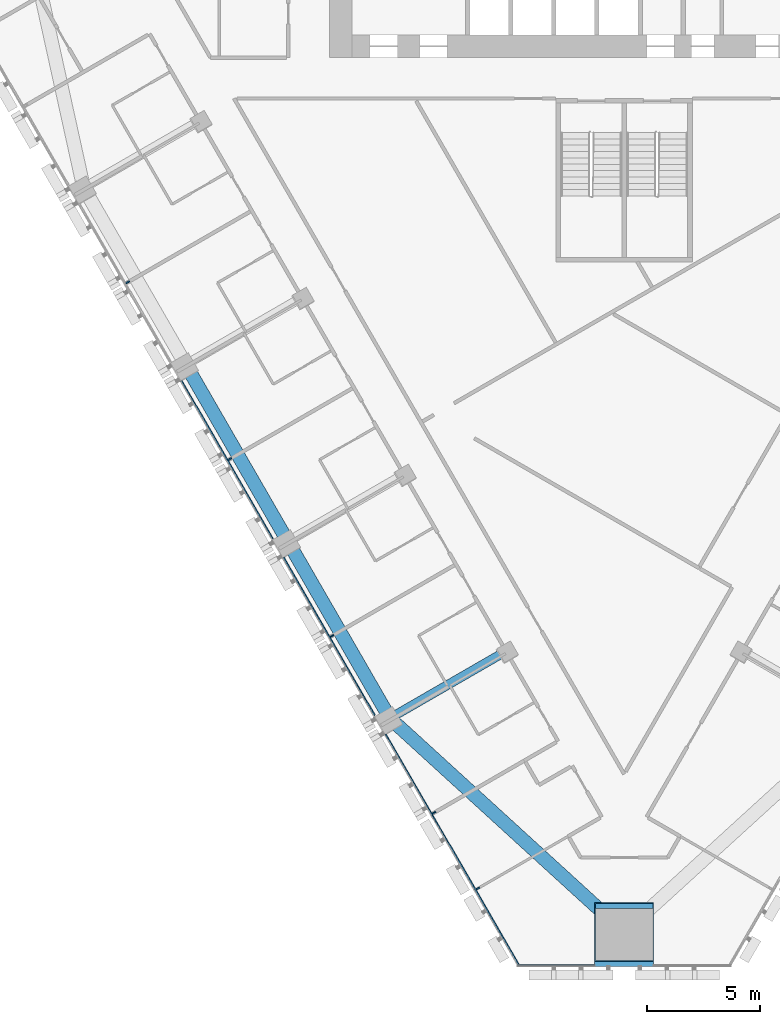
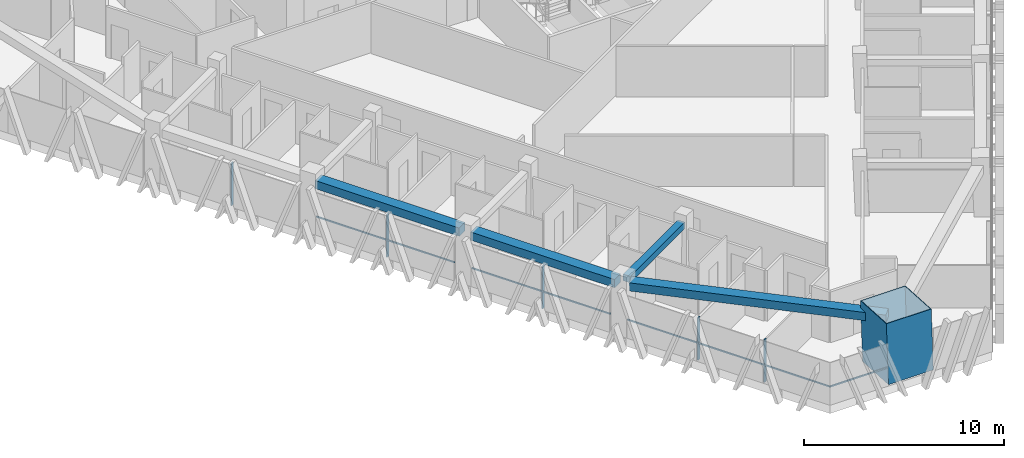
# One storey, part 2 of 17: 10 members, 4 beams, 2 elements without a shape of their own.
"""IFC4 building model written with IfcOpenShell, lengths in metres."""

from ifc_helpers import new_model, si_unit, direction, frame, origin, origin_2d, place, context, subcontext, project, spatial, rectangle, hollow_rectangle, extrude, material, layer, layer_set, material_profile, profile_set, type_object, element, aggregate, save


model = new_model("IFC4")

# Units and contexts
model_context = context("Model", 3, precision=1e-05, world=origin(), true_north=direction((0.0, 1.0)))
body_context = subcontext(model_context, "Body", "Model", "MODEL_VIEW")
ifc_project = project(units=[si_unit("LENGTHUNIT", "METRE"), si_unit("AREAUNIT", "SQUARE_METRE"), si_unit("VOLUMEUNIT", "CUBIC_METRE"), si_unit("PLANEANGLEUNIT", "RADIAN"), si_unit("MASSUNIT", "GRAM", prefix="KILO")], contexts=[model_context])

# Site, building, storey
site_placement = place(None, origin())
site = spatial("IfcSite", under=ifc_project, at=site_placement, CompositionType="ELEMENT")
building_placement = place(site_placement, origin())
building = spatial("IfcBuilding", under=site, at=building_placement, Name="Altiplano Prism Tower", CompositionType="ELEMENT")
storey_placement = place(building_placement, frame((0.0, 0.0, 55.800048828125)))
storey = spatial("IfcBuildingStorey", under=building, at=storey_placement, Name="L13", CompositionType="ELEMENT", Elevation=55.800048828125)

# Curtain wall, members
ifc_material_1 = material(Name="Aluminium and glass", Category="aluminium")
ifc_layer = layer(ifc_material_1, 0.280029296875)
ifc_layer_set = layer_set([ifc_layer], Name="Aluminium and glass")
curtain_wall_type = type_object("IfcCurtainWallType", Name="CW1 typical co-living unitised curtain wall", PredefinedType="NOTDEFINED", material=ifc_layer_set)
curtain_wall_1_placement = place(storey_placement, origin())
curtain_wall_1 = element("IfcCurtainWall", 1, at=curtain_wall_1_placement, inside=storey, type_object=curtain_wall_type, Name="CW1 curtain wall south-west face L13", PredefinedType="NOTDEFINED")
ifc_material_2 = material(Name="Aluminium", Category="aluminium")
ifc_material_profile_1 = material_profile(ifc_material_2, rectangle(XDim=0.179931640625, YDim=0.06494140625, at=origin_2d()), Name="CW1 mullion 65 x 180")
ifc_profile_set_1 = profile_set([ifc_material_profile_1], Name="Aluminium")
member_type_1 = type_object("IfcMemberType", Name="CW1 mullion 65 x 180", PredefinedType="MULLION", material=ifc_profile_set_1)
member_1_placement = place(storey_placement, frame((63.117919921875, 82.49755859375, 0.0), z_axis=(0.0, 0.0, 1.0), x_axis=(0.866025408218, 0.499999992322, 0.0)))
member_1 = element("IfcMember", 2, at=member_1_placement, type_object=member_type_1, Name="CW1 mullion", PredefinedType="MULLION", context=body_context, shape_type="SweptSolid", body=[
    extrude(rectangle(XDim=0.179931640625, YDim=0.06494140625, at=origin_2d()), origin(), (0.0, 0.0, 1.0), 2.599853515625),
])
member_2_placement = place(storey_placement, frame((67.617919921875, 74.703369140625, 0.0), z_axis=(0.0, 0.0, 1.0), x_axis=(0.866025408218, 0.499999992322, 0.0)))
member_2 = element("IfcMember", 3, at=member_2_placement, type_object=member_type_1, Name="CW1 mullion", PredefinedType="MULLION", context=body_context, shape_type="SweptSolid", body=[
    extrude(rectangle(XDim=0.179931640625, YDim=0.06494140625, at=origin_2d()), origin(), (0.0, 0.0, 1.0), 2.599853515625),
])
member_3_placement = place(storey_placement, frame((72.117919921875, 66.9091796875, 0.0), z_axis=(0.0, 0.0, 1.0), x_axis=(0.866025408218, 0.499999992322, 0.0)))
member_3 = element("IfcMember", 4, at=member_3_placement, type_object=member_type_1, Name="CW1 mullion", PredefinedType="MULLION", context=body_context, shape_type="SweptSolid", body=[
    extrude(rectangle(XDim=0.179931640625, YDim=0.06494140625, at=origin_2d()), origin(), (0.0, 0.0, 1.0), 2.599853515625),
])
member_4_placement = place(storey_placement, frame((76.617919921875, 59.114990234375, 0.0), z_axis=(0.0, 0.0, 1.0), x_axis=(0.866025408218, 0.499999992322, 0.0)))
member_4 = element("IfcMember", 5, at=member_4_placement, type_object=member_type_1, Name="CW1 mullion", PredefinedType="MULLION", context=body_context, shape_type="SweptSolid", body=[
    extrude(rectangle(XDim=0.179931640625, YDim=0.06494140625, at=origin_2d()), origin(), (0.0, 0.0, 1.0), 2.599853515625),
])
member_5_placement = place(storey_placement, frame((78.545166015625, 55.77685546875, 0.0), z_axis=(0.0, 0.0, 1.0), x_axis=(0.866025408218, 0.499999992322, 0.0)))
member_5 = element("IfcMember", 6, at=member_5_placement, type_object=member_type_1, Name="CW1 mullion", PredefinedType="MULLION", context=body_context, shape_type="SweptSolid", body=[
    extrude(rectangle(XDim=0.179931640625, YDim=0.06494140625, at=origin_2d()), origin(), (0.0, 0.0, 1.0), 2.599853515625),
])
ifc_material_profile_2 = material_profile(ifc_material_2, rectangle(XDim=0.06005859375, YDim=0.080078125, at=origin_2d()), Name="CW1 transom 80 x 60")
ifc_profile_set_2 = profile_set([ifc_material_profile_2], Name="Aluminium")
member_type_2 = type_object("IfcMemberType", Name="CW1 transom 80 x 60", PredefinedType="USERDEFINED", material=ifc_profile_set_2)
member_6_placement = place(storey_placement, frame((65.4892578125, 78.150146484375, 1.099853515625), z_axis=(0.500012318566, -0.86601829154, 0.0), x_axis=(0.86601829154, 0.500012318566, 0.0)))
member_6 = element("IfcMember", 7, at=member_6_placement, type_object=member_type_2, Name="CW1 transom", ObjectType="TRANSOM", PredefinedType="USERDEFINED", context=body_context, shape_type="SweptSolid", body=[
    extrude(rectangle(XDim=0.06005859375, YDim=0.080078125, at=origin_2d()), origin(), (0.0, 0.0, 1.0), 8.019775390625),
])
member_7_placement = place(storey_placement, frame((69.9892578125, 70.35595703125, 1.099853515625), z_axis=(0.500012318566, -0.86601829154, 0.0), x_axis=(0.86601829154, 0.500012318566, 0.0)))
member_7 = element("IfcMember", 8, at=member_7_placement, type_object=member_type_2, Name="CW1 transom", ObjectType="TRANSOM", PredefinedType="USERDEFINED", context=body_context, shape_type="SweptSolid", body=[
    extrude(rectangle(XDim=0.06005859375, YDim=0.080078125, at=origin_2d()), origin(), (0.0, 0.0, 1.0), 8.019775390625),
])
member_8_placement = place(storey_placement, frame((74.4892578125, 62.561767578125, 1.099853515625), z_axis=(0.499995643985, -0.866027918716, 0.0), x_axis=(0.866027918716, 0.499995643985, 0.0)))
member_8 = element("IfcMember", 9, at=member_8_placement, type_object=member_type_2, Name="CW1 transom", ObjectType="TRANSOM", PredefinedType="USERDEFINED", context=body_context, shape_type="SweptSolid", body=[
    extrude(rectangle(XDim=0.06005859375, YDim=0.080078125, at=origin_2d()), origin(), (0.0, 0.0, 1.0), 11.75830078125),
])
aggregate(curtain_wall_1, [member_1, member_2, member_6, member_3, member_7, member_4, member_5, member_8])

# Curtain wall, member
curtain_wall_2_placement = place(storey_placement, origin())
curtain_wall_2 = element("IfcCurtainWall", 10, at=curtain_wall_2_placement, inside=storey, type_object=curtain_wall_type, Name="CW1 curtain wall south chamfer L13", PredefinedType="NOTDEFINED")
member_9_placement = place(storey_placement, frame((80.307861328125, 52.413818359375, 1.099853515625), z_axis=(1.0, 0.0, 0.0), x_axis=(0.0, 1.0, 0.0)))
member_9 = element("IfcMember", 11, at=member_9_placement, type_object=member_type_2, Name="CW1 transom", ObjectType="TRANSOM", PredefinedType="USERDEFINED", context=body_context, shape_type="SweptSolid", body=[
    extrude(rectangle(XDim=0.06005859375, YDim=0.080078125, at=origin_2d()), origin(), (0.0, 0.0, 1.0), 3.39208984375),
])
aggregate(curtain_wall_2, [member_9])

# Beams
ifc_material_3 = material(Name="Concrete C60/75", Category="concrete")
ifc_material_profile_3 = material_profile(ifc_material_3, rectangle(XDim=0.60009765625, YDim=0.5, at=origin_2d()), Name="Edge beam 600x500")
ifc_profile_set_3 = profile_set([ifc_material_profile_3], Name="Concrete C60/75")
beam_type_1 = type_object("IfcBeamType", Name="Edge beam 600x500", PredefinedType="SPANDREL", material=ifc_profile_set_3)
for number, where, z_axis, x_axis, name in (
    (12, (65.838134765625, 78.583251953125, 2.849853515625), (0.499992746786, -0.866029591389, 0.0), (0.866029591389, 0.499992746786, 0.0), "Edge beam P12-P13 L14"),
    (13, (70.338134765625, 70.7890625, 2.849853515625), (0.499992746786, -0.866029591389, 0.0), (0.866029591389, 0.499992746786, 0.0), "Edge beam P13-P14 L14"),
):
    element("IfcBeam", number, at=place(storey_placement, frame(where, z_axis=z_axis, x_axis=x_axis)), inside=storey, type_object=beam_type_1, Name=name, PredefinedType="SPANDREL", context=body_context, shape_type="SweptSolid", body=[
        extrude(rectangle(XDim=0.60009765625, YDim=0.5, at=origin_2d()), origin(), (0.0, 0.0, 1.0), 8.33984375),
    ])
beam_1_placement = place(storey_placement, frame((74.93310546875, 63.043212890625, 2.849853515625), z_axis=(0.738575716326, -0.674170535736, 0.0), x_axis=(0.674170535736, 0.738575716326, 0.0)))
element("IfcBeam", 14, at=beam_1_placement, inside=storey, type_object=beam_type_1, Name="Edge beam P14-M1 L14", PredefinedType="SPANDREL", context=body_context, shape_type="SweptSolid", body=[
    extrude(rectangle(XDim=0.60009765625, YDim=0.5, at=origin_2d()), origin(), (0.0, 0.0, 1.0), 13.18017578125),
])

# Member
ifc_material_4 = material(Name="Steel S460", Category="steel")
ifc_material_profile_4 = material_profile(ifc_material_4, hollow_rectangle(XDim=2.60009765625, YDim=2.60009765625, WallThickness=0.0400390625, at=origin_2d()), Name="Mega column tube 2600")
ifc_profile_set_4 = profile_set([ifc_material_profile_4], Name="Steel S460")
member_type_3 = type_object("IfcMemberType", Name="Mega column tube 2600", PredefinedType="POST", material=ifc_profile_set_4)
member_10_placement = place(storey_placement, frame((85.0, 53.643798828125, 0.0), z_axis=(0.0, 0.058360852261, 0.998295552892), x_axis=(-1.0, 0.0, 0.0)))
element("IfcMember", 15, at=member_10_placement, inside=storey, type_object=member_type_3, Name="Mega column tube M1 L13", PredefinedType="POST", context=body_context, shape_type="SweptSolid", body=[
    extrude(hollow_rectangle(XDim=2.60009765625, YDim=2.60009765625, WallThickness=0.0400390625, at=origin_2d()), origin(), (0.0, 0.0, 1.0), 3.60595703125),
])

# Beam
ifc_material_profile_5 = material_profile(ifc_material_3, rectangle(XDim=0.39990234375, YDim=0.39990234375, at=origin_2d()), Name="Tie beam 400x400")
ifc_profile_set_5 = profile_set([ifc_material_profile_5], Name="Concrete C60/75")
beam_type_2 = type_object("IfcBeamType", Name="Tie beam 400x400", PredefinedType="BEAM", material=ifc_profile_set_5)
beam_2_placement = place(storey_placement, frame((79.71337890625, 66.190673828125, 2.89990234375), z_axis=(-0.866012292785, -0.50002270823, 0.0), x_axis=(0.50002270823, -0.866012292785, 0.0)))
element("IfcBeam", 16, at=beam_2_placement, inside=storey, type_object=beam_type_2, Name="Tie beam I14 L14", PredefinedType="BEAM", context=body_context, shape_type="SweptSolid", body=[
    extrude(rectangle(XDim=0.39990234375, YDim=0.39990234375, at=origin_2d()), origin(), (0.0, 0.0, 1.0), 5.489990234375),
])

save(model, "model.ifc")
